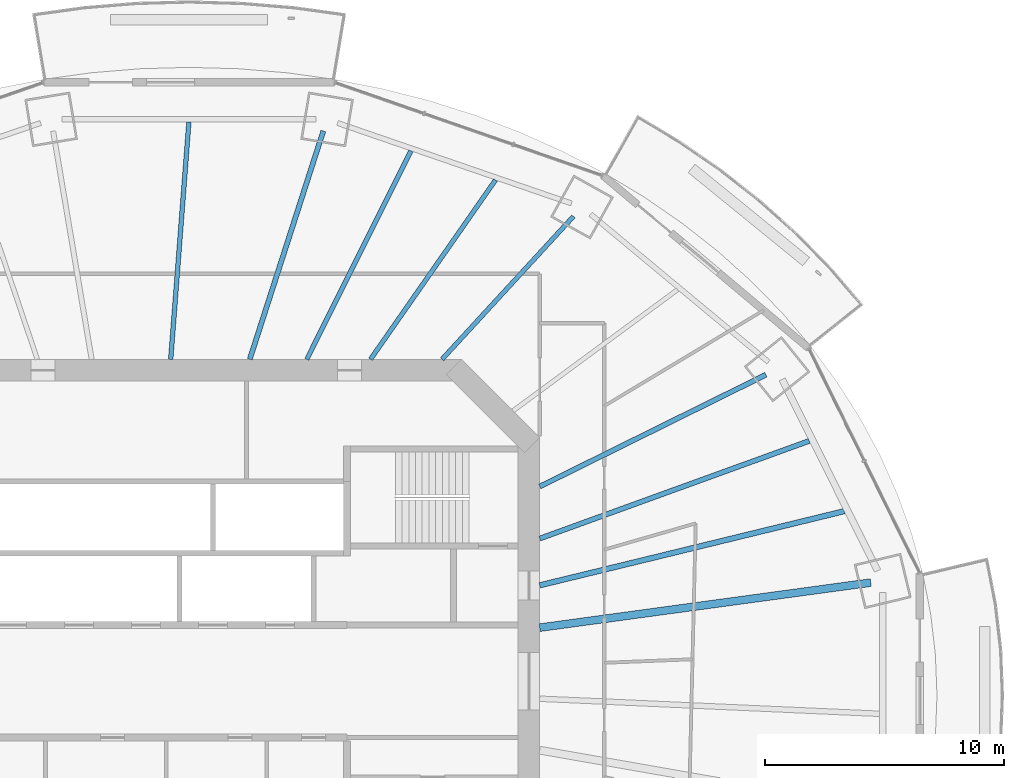
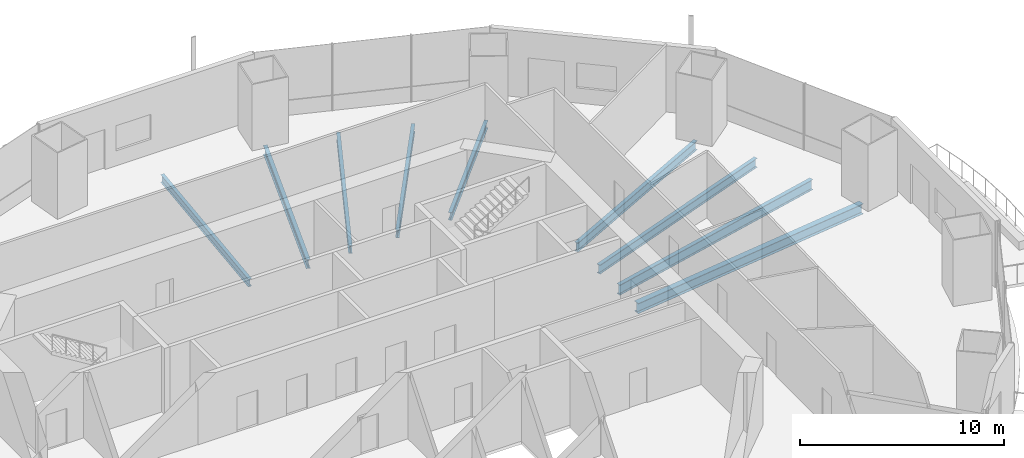
# One storey, part 7 of 20: 9 beams.
"""IFC4 building model written with IfcOpenShell, lengths in metres."""

from ifc_helpers import new_model, si_unit, direction, frame, origin, origin_2d, place, context, subcontext, project, spatial, i_section, extrude, material, material_profile, profile_set, type_object, element, save


model = new_model("IFC4")

# Units and contexts
model_context = context("Model", 3, precision=1e-05, world=origin(), true_north=direction((0.0, 1.0)))
body_context = subcontext(model_context, "Body", "Model", "MODEL_VIEW")
ifc_project = project(units=[si_unit("LENGTHUNIT", "METRE"), si_unit("AREAUNIT", "SQUARE_METRE"), si_unit("VOLUMEUNIT", "CUBIC_METRE"), si_unit("PLANEANGLEUNIT", "RADIAN"), si_unit("MASSUNIT", "GRAM", prefix="KILO")], contexts=[model_context])

# Site, building, storey
site_placement = place(None, origin())
site = spatial("IfcSite", under=ifc_project, at=site_placement, CompositionType="ELEMENT")
building_placement = place(site_placement, origin())
building = spatial("IfcBuilding", under=site, at=building_placement, Name="Marenthal Gate Tower", CompositionType="ELEMENT")
storey_placement = place(building_placement, frame((0.0, 0.0, 219.14990234375)))
storey = spatial("IfcBuildingStorey", under=building, at=storey_placement, Name="L48", CompositionType="ELEMENT", Elevation=219.14990234375)

# Beams
ifc_material_1 = material(Name="Steel S355", Category="steel")
ifc_material_profile_1 = material_profile(ifc_material_1, i_section(OverallWidth=0.193115234375, OverallDepth=0.467041015625, WebThickness=0.011474609375, FlangeThickness=0.01904296875, FilletRadius=0.010009765625, at=origin_2d()), Name="W460X97")
ifc_profile_set_1 = profile_set([ifc_material_profile_1], Name="Steel S355")
beam_type_1 = type_object("IfcBeamType", Name="W460X97 beam", PredefinedType="BEAM", material=ifc_profile_set_1)
beam_1_placement = place(storey_placement, frame((17.859130859375, 19.42333984375, -0.413330078125), z_axis=(-0.67683423775, -0.736135459416, 0.0), x_axis=(0.736135459416, -0.67683423775, 0.0)))
element("IfcBeam", 1, at=beam_1_placement, inside=storey, type_object=beam_type_1, Name="BM-L48-03", PredefinedType="BEAM", context=body_context, shape_type="SweptSolid", body=[
    extrude(i_section(OverallWidth=0.193115234375, OverallDepth=0.467041015625, WebThickness=0.011474609375, FlangeThickness=0.01904296875, FilletRadius=0.010009765625, at=origin_2d()), origin(), (0.0, 0.0, 1.0), 8.114501953125),
])
beam_2_placement = place(storey_placement, frame((14.603271484375, 20.944091796875, -0.413330078125), z_axis=(-0.571933272977, -0.820300147057, 0.0), x_axis=(0.820300147057, -0.571933272977, 0.0)))
element("IfcBeam", 2, at=beam_2_placement, inside=storey, type_object=beam_type_1, Name="BM-L48-20", PredefinedType="BEAM", context=body_context, shape_type="SweptSolid", body=[
    extrude(i_section(OverallWidth=0.193115234375, OverallDepth=0.467041015625, WebThickness=0.011474609375, FlangeThickness=0.01904296875, FilletRadius=0.010009765625, at=origin_2d()), origin(), (0.0, 0.0, 1.0), 9.1357421875),
])
beam_3_placement = place(storey_placement, frame((11.06787109375, 22.16064453125, -0.413330078125), z_axis=(-0.446822395082, -0.894622684294, 0.0), x_axis=(0.894622684294, -0.446822395082, 0.0)))
element("IfcBeam", 3, at=beam_3_placement, inside=storey, type_object=beam_type_1, Name="BM-L48-21", PredefinedType="BEAM", context=body_context, shape_type="SweptSolid", body=[
    extrude(i_section(OverallWidth=0.193115234375, OverallDepth=0.467041015625, WebThickness=0.011474609375, FlangeThickness=0.01904296875, FilletRadius=0.010009765625, at=origin_2d()), origin(), (0.0, 0.0, 1.0), 9.73681640625),
])
beam_4_placement = place(storey_placement, frame((1.791259765625, 23.36376953125, -0.413330078125), z_axis=(-0.076437376751, -0.997074384104, 0.0), x_axis=(0.997074384104, -0.076437376751, 0.0)))
element("IfcBeam", 4, at=beam_4_placement, inside=storey, type_object=beam_type_1, Name="BM-L48-22", PredefinedType="BEAM", context=body_context, shape_type="SweptSolid", body=[
    extrude(i_section(OverallWidth=0.193115234375, OverallDepth=0.467041015625, WebThickness=0.011474609375, FlangeThickness=0.01904296875, FilletRadius=0.010009765625, at=origin_2d()), origin(), (0.0, 0.0, 1.0), 9.94287109375),
])
ifc_material_2 = material(Name="Steel S355", Category="steel")
ifc_material_profile_2 = material_profile(ifc_material_2, i_section(OverallWidth=0.2119140625, OverallDepth=0.5439453125, WebThickness=0.01318359375, FlangeThickness=0.021240234375, FilletRadius=0.0126953125, at=origin_2d()), Name="W530X123")
ifc_profile_set_2 = profile_set([ifc_material_profile_2], Name="Steel S355")
beam_type_2 = type_object("IfcBeamType", Name="W530X123 beam", PredefinedType="BEAM", material=ifc_profile_set_2)
beam_5_placement = place(storey_placement, frame((25.89990234375, 12.806884765625, -0.451904296875), z_axis=(-0.896396180878, -0.44325375002, 0.0), x_axis=(0.44325375002, -0.896396180878, 0.0)))
element("IfcBeam", 5, at=beam_5_placement, inside=storey, type_object=beam_type_2, Name="BM-L48-02", PredefinedType="BEAM", context=body_context, shape_type="SweptSolid", body=[
    extrude(i_section(OverallWidth=0.2119140625, OverallDepth=0.5439453125, WebThickness=0.01318359375, FlangeThickness=0.021240234375, FilletRadius=0.0126953125, at=origin_2d()), origin(), (0.0, 0.0, 1.0), 10.542236328125),
])
beam_6_placement = place(storey_placement, frame((7.408203125, 22.991943359375, -0.451904296875), z_axis=(-0.306677588353, -0.951813456935, 0.0), x_axis=(0.951813456935, -0.306677588353, 0.0)))
element("IfcBeam", 6, at=beam_6_placement, inside=storey, type_object=beam_type_2, Name="BM-L48-04", PredefinedType="BEAM", context=body_context, shape_type="SweptSolid", body=[
    extrude(i_section(OverallWidth=0.2119140625, OverallDepth=0.5439453125, WebThickness=0.01318359375, FlangeThickness=0.021240234375, FilletRadius=0.0126953125, at=origin_2d()), origin(), (0.0, 0.0, 1.0), 10.025146484375),
])
beam_7_placement = place(storey_placement, frame((27.708740234375, 10.04150390625, -0.451904296875), z_axis=(-0.940169047175, -0.340708325015, 0.0), x_axis=(0.340708325015, -0.940169047175, 0.0)))
element("IfcBeam", 7, at=beam_7_placement, inside=storey, type_object=beam_type_2, Name="BM-L48-18", PredefinedType="BEAM", context=body_context, shape_type="SweptSolid", body=[
    extrude(i_section(OverallWidth=0.2119140625, OverallDepth=0.5439453125, WebThickness=0.01318359375, FlangeThickness=0.021240234375, FilletRadius=0.0126953125, at=origin_2d()), origin(), (0.0, 0.0, 1.0), 11.975341796875),
])
ifc_material_3 = material(Name="Steel S355", Category="steel")
ifc_material_profile_3 = material_profile(ifc_material_3, i_section(OverallWidth=0.22900390625, OverallDepth=0.612060546875, WebThickness=0.011962890625, FlangeThickness=0.01953125, FilletRadius=0.0126953125, at=origin_2d()), Name="W610X125")
ifc_profile_set_3 = profile_set([ifc_material_profile_3], Name="Steel S355")
beam_type_3 = type_object("IfcBeamType", Name="W610X125 beam", PredefinedType="BEAM", material=ifc_profile_set_3)
beam_8_placement = place(storey_placement, frame((29.17236328125, 7.10546875, -0.48583984375), z_axis=(-0.971593259294, -0.236657006011, 0.0), x_axis=(0.236657006011, -0.971593259294, 0.0)))
element("IfcBeam", 8, at=beam_8_placement, inside=storey, type_object=beam_type_3, Name="BM-L48-17", PredefinedType="BEAM", context=body_context, shape_type="SweptSolid", body=[
    extrude(i_section(OverallWidth=0.22900390625, OverallDepth=0.612060546875, WebThickness=0.011962890625, FlangeThickness=0.01953125, FilletRadius=0.0126953125, at=origin_2d()), origin(), (0.0, 0.0, 1.0), 13.094482421875),
])
ifc_material_4 = material(Name="Steel S355", Category="steel")
ifc_material_profile_4 = material_profile(ifc_material_4, i_section(OverallWidth=0.324951171875, OverallDepth=0.612060546875, WebThickness=0.0126953125, FlangeThickness=0.01904296875, FilletRadius=0.0126953125, at=origin_2d()), Name="W610X155")
ifc_profile_set_4 = profile_set([ifc_material_profile_4], Name="Steel S355")
beam_type_4 = type_object("IfcBeamType", Name="W610X155 beam", PredefinedType="BEAM", material=ifc_profile_set_4)
beam_9_placement = place(storey_placement, frame((30.28173828125, 4.121337890625, -0.48583984375), z_axis=(-0.990866848737, -0.134843939701, 0.0), x_axis=(0.134843939701, -0.990866848737, 0.0)))
element("IfcBeam", 9, at=beam_9_placement, inside=storey, type_object=beam_type_4, Name="BM-L48-01", PredefinedType="BEAM", context=body_context, shape_type="SweptSolid", body=[
    extrude(i_section(OverallWidth=0.324951171875, OverallDepth=0.612060546875, WebThickness=0.0126953125, FlangeThickness=0.01904296875, FilletRadius=0.0126953125, at=origin_2d()), origin(), (0.0, 0.0, 1.0), 13.959228515625),
])

save(model, "model.ifc")
